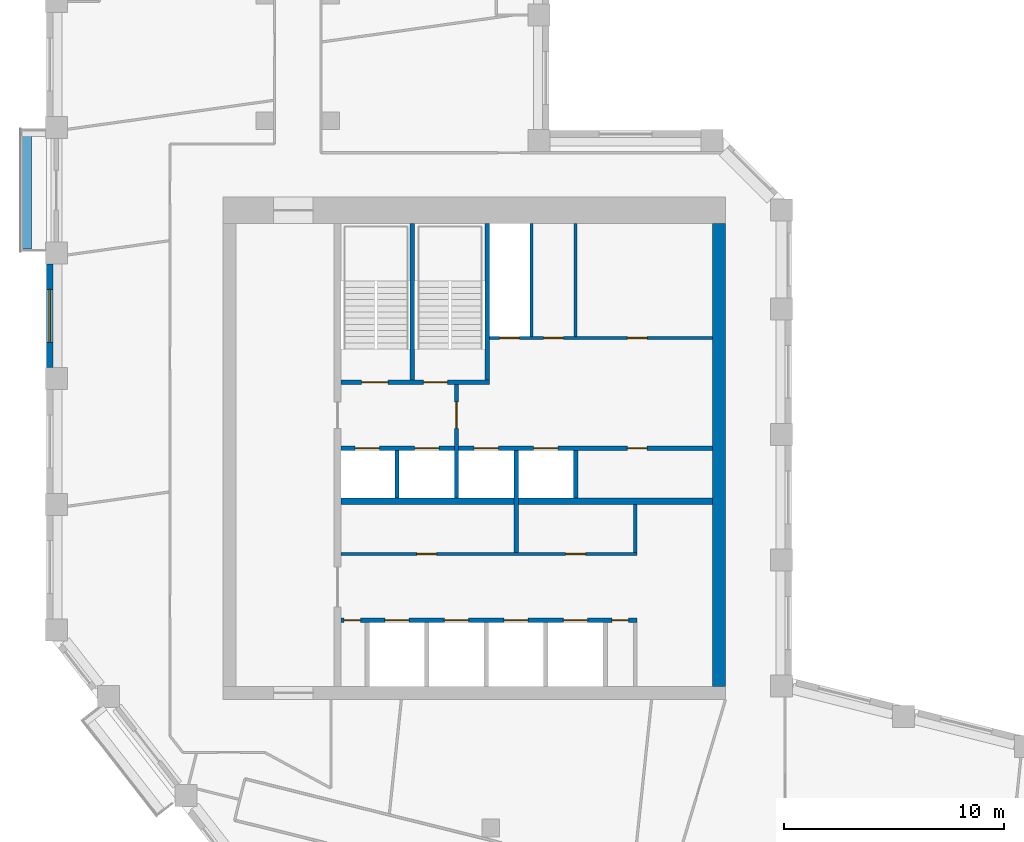
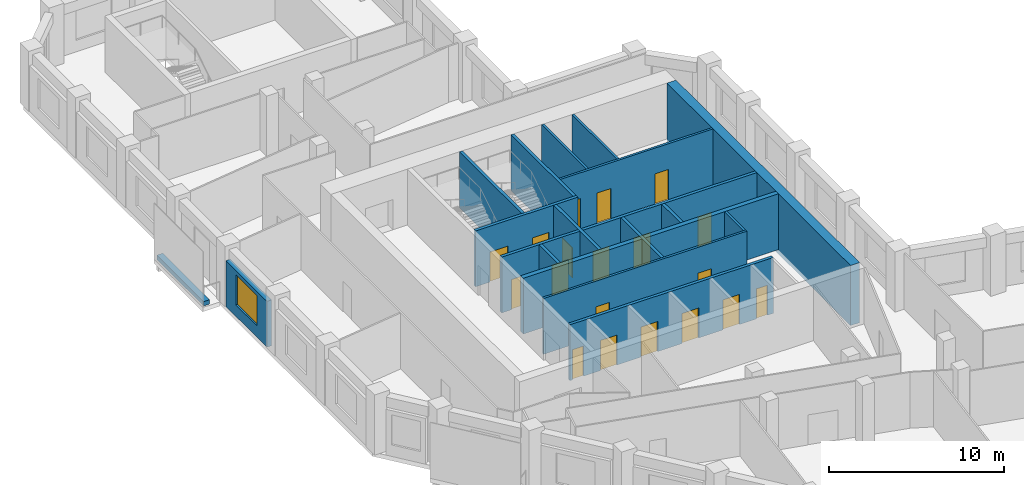
# One storey, part 5 of 9: 19 doors, 18 walls, 1 window, 20 openings.
"""IFC4 building model written with IfcOpenShell, lengths in metres."""

from ifc_helpers import new_model, si_unit, direction, frame, frame_2d, origin, place, context, subcontext, project, spatial, rectangle, extrude, material, layer, layer_set, type_object, element, fill, save


model = new_model("IFC4")

# Units and contexts
model_context = context("Model", 3, precision=1e-05, world=origin(), true_north=direction((0.0, 1.0)))
body_context = subcontext(model_context, "Body", "Model", "MODEL_VIEW")
ifc_project = project(units=[si_unit("LENGTHUNIT", "METRE"), si_unit("AREAUNIT", "SQUARE_METRE"), si_unit("VOLUMEUNIT", "CUBIC_METRE"), si_unit("PLANEANGLEUNIT", "RADIAN"), si_unit("MASSUNIT", "GRAM", prefix="KILO")], contexts=[model_context])

# Site, building, storey
site_placement = place(None, origin())
site = spatial("IfcSite", under=ifc_project, at=site_placement, CompositionType="ELEMENT")
building_placement = place(site_placement, origin())
building = spatial("IfcBuilding", under=site, at=building_placement, Name="Meshkara Civic Tower", CompositionType="ELEMENT")
storey_placement = place(building_placement, frame((0.0, 0.0, 315.0)))
storey = spatial("IfcBuildingStorey", under=building, at=storey_placement, Name="L72", CompositionType="ELEMENT", Elevation=315.0)

# Wall, openings, doors
ifc_material_1 = material(Name="Blockwork", Category="masonry")
ifc_layer_1 = layer(ifc_material_1, 0.14990234375)
ifc_layer_set_1 = layer_set([ifc_layer_1], Name="Core partition 150")
wall_type_1 = type_object("IfcWallType", Name="Core partition 150", PredefinedType="PARTITIONING", material=ifc_layer_set_1)
wall_1_placement = place(storey_placement, frame((13.35009765625, 20.699951171875, 0.0), z_axis=(0.0, 0.0, 1.0), x_axis=(1.0, 0.0, 0.0)))
wall_1 = element("IfcWall", 1, at=wall_1_placement, inside=storey, type_object=wall_type_1, Name="L72-C006", PredefinedType="PARTITIONING", context=body_context, shape_type="SweptSolid", body=[
    extrude(rectangle(XDim=13.4248046875, YDim=0.14990234375, at=frame_2d((6.71240234375, 0.0))), origin(), (0.0, 0.0, 1.0), 3.89990234375),
])
opening_1_placement = place(wall_1_placement, frame((3.449951171875, 0.0, 0.0)))
opening_1 = element("IfcOpeningElement", 2, at=opening_1_placement, cuts=wall_1, Name="Opening L72-K011", PredefinedType="OPENING", context=body_context, shape_type="SweptSolid", body=[
    extrude(rectangle(XDim=0.89990234375, YDim=2.10009765625, at=frame_2d((0.449951171875, 1.050048828125))), frame((0.0, 0.0849609375, 0.0), z_axis=(0.0, -1.0, 0.0), x_axis=(1.0, 0.0, 0.0)), (0.0, 0.0, 1.0), 0.169921875),
])
opening_2_placement = place(wall_1_placement, frame((10.199951171875, 0.0, 0.0)))
opening_2 = element("IfcOpeningElement", 3, at=opening_2_placement, cuts=wall_1, Name="Opening L72-K012", PredefinedType="OPENING", context=body_context, shape_type="SweptSolid", body=[
    extrude(rectangle(XDim=0.89990234375, YDim=2.10009765625, at=frame_2d((0.449951171875, 1.050048828125))), frame((0.0, 0.0849609375, 0.0), z_axis=(0.0, -1.0, 0.0), x_axis=(1.0, 0.0, 0.0)), (0.0, 0.0, 1.0), 0.169921875),
])
ifc_material_2 = material(Name="Timber door leaf in steel frame", Category="steel")
door_type_1 = type_object("IfcDoorType", Name="Core room door 900", OperationType="SINGLE_SWING_LEFT", PredefinedType="DOOR", material=ifc_material_2)
door_1_placement = place(opening_1_placement, origin())
door_1 = element("IfcDoor", 4, at=door_1_placement, inside=storey, type_object=door_type_1, Name="L72-K011", OperationType="SINGLE_SWING_RIGHT", OverallHeight=2.10009765625, OverallWidth=0.89990234375, PredefinedType="DOOR", context=body_context, shape_type="SweptSolid", body=[
    extrude(rectangle(XDim=0.89990234375, YDim=2.10009765625, at=frame_2d((0.449951171875, 1.050048828125))), frame((0.0, 0.02490234375, 0.0), z_axis=(0.0, -1.0, 0.0), x_axis=(1.0, 0.0, 0.0)), (0.0, 0.0, 1.0), 0.050048828125),
])
fill(opening_1, door_1)
door_2_placement = place(opening_2_placement, origin())
door_2 = element("IfcDoor", 5, at=door_2_placement, inside=storey, type_object=door_type_1, Name="L72-K012", OperationType="SINGLE_SWING_RIGHT", OverallHeight=2.10009765625, OverallWidth=0.89990234375, PredefinedType="DOOR", context=body_context, shape_type="SweptSolid", body=[
    extrude(rectangle(XDim=0.89990234375, YDim=2.10009765625, at=frame_2d((0.449951171875, 1.050048828125))), frame((0.0, 0.02490234375, 0.0), z_axis=(0.0, -1.0, 0.0), x_axis=(1.0, 0.0, 0.0)), (0.0, 0.0, 1.0), 0.050048828125),
])
fill(opening_2, door_2)

wall_2_placement = place(storey_placement, frame((20.10009765625, 30.5, 0.0), z_axis=(0.0, 0.0, 1.0), x_axis=(1.0, 0.0, 0.0)))
wall_2 = element("IfcWall", 6, at=wall_2_placement, inside=storey, type_object=wall_type_1, Name="L72-C010", PredefinedType="PARTITIONING", context=body_context, shape_type="SweptSolid", body=[
    extrude(rectangle(XDim=10.099853515625, YDim=0.14990234375, at=frame_2d((5.0498046875, 0.0))), origin(), (0.0, 0.0, 1.0), 3.89990234375),
])
opening_3_placement = place(wall_2_placement, frame((0.449951171875, 0.0, 0.0)))
opening_3 = element("IfcOpeningElement", 7, at=opening_3_placement, cuts=wall_2, Name="Opening L72-K014", PredefinedType="OPENING", context=body_context, shape_type="SweptSolid", body=[
    extrude(rectangle(XDim=0.89990234375, YDim=2.10009765625, at=frame_2d((0.449951171875, 1.050048828125))), frame((0.0, 0.0849609375, 0.0), z_axis=(0.0, -1.0, 0.0), x_axis=(1.0, 0.0, 0.0)), (0.0, 0.0, 1.0), 0.169921875),
])
opening_4_placement = place(wall_2_placement, frame((2.449951171875, 0.0, 0.0)))
opening_4 = element("IfcOpeningElement", 8, at=opening_4_placement, cuts=wall_2, Name="Opening L72-K015", PredefinedType="OPENING", context=body_context, shape_type="SweptSolid", body=[
    extrude(rectangle(XDim=0.89990234375, YDim=2.10009765625, at=frame_2d((0.449951171875, 1.050048828125))), frame((0.0, 0.0849609375, 0.0), z_axis=(0.0, -1.0, 0.0), x_axis=(1.0, 0.0, 0.0)), (0.0, 0.0, 1.0), 0.169921875),
])
opening_5_placement = place(wall_2_placement, frame((6.25, 0.0, 0.0)))
opening_5 = element("IfcOpeningElement", 9, at=opening_5_placement, cuts=wall_2, Name="Opening L72-K016", PredefinedType="OPENING", context=body_context, shape_type="SweptSolid", body=[
    extrude(rectangle(XDim=0.89990234375, YDim=2.10009765625, at=frame_2d((0.449951171875, 1.050048828125))), frame((0.0, 0.0849609375, 0.0), z_axis=(0.0, -1.0, 0.0), x_axis=(1.0, 0.0, 0.0)), (0.0, 0.0, 1.0), 0.169921875),
])
door_3_placement = place(opening_5_placement, origin())
door_3 = element("IfcDoor", 10, at=door_3_placement, inside=storey, type_object=door_type_1, Name="L72-K016", OperationType="SINGLE_SWING_RIGHT", OverallHeight=2.10009765625, OverallWidth=0.89990234375, PredefinedType="DOOR", context=body_context, shape_type="SweptSolid", body=[
    extrude(rectangle(XDim=0.89990234375, YDim=2.10009765625, at=frame_2d((0.449951171875, 1.050048828125))), frame((0.0, 0.02490234375, 0.0), z_axis=(0.0, -1.0, 0.0), x_axis=(1.0, 0.0, 0.0)), (0.0, 0.0, 1.0), 0.050048828125),
])
fill(opening_5, door_3)
ifc_material_3 = material(Name="Fire-rated door leaf in steel frame", Category="steel")
door_type_2 = type_object("IfcDoorType", Name="Riser door 900", OperationType="SINGLE_SWING_LEFT", PredefinedType="DOOR", material=ifc_material_3)
door_4_placement = place(opening_3_placement, origin())
door_4 = element("IfcDoor", 11, at=door_4_placement, inside=storey, type_object=door_type_2, Name="L72-K014", OperationType="SINGLE_SWING_RIGHT", OverallHeight=2.10009765625, OverallWidth=0.89990234375, PredefinedType="DOOR", context=body_context, shape_type="SweptSolid", body=[
    extrude(rectangle(XDim=0.89990234375, YDim=2.10009765625, at=frame_2d((0.449951171875, 1.050048828125))), frame((0.0, 0.02490234375, 0.0), z_axis=(0.0, -1.0, 0.0), x_axis=(1.0, 0.0, 0.0)), (0.0, 0.0, 1.0), 0.050048828125),
])
fill(opening_3, door_4)
ifc_material_4 = material(Name="Timber door leaf in steel frame", Category="steel")
door_type_3 = type_object("IfcDoorType", Name="WC door 900", OperationType="SINGLE_SWING_LEFT", PredefinedType="DOOR", material=ifc_material_4)
door_5_placement = place(opening_4_placement, origin())
door_5 = element("IfcDoor", 12, at=door_5_placement, inside=storey, type_object=door_type_3, Name="L72-K015", OperationType="SINGLE_SWING_LEFT", OverallHeight=2.10009765625, OverallWidth=0.89990234375, PredefinedType="DOOR", context=body_context, shape_type="SweptSolid", body=[
    extrude(rectangle(XDim=0.89990234375, YDim=2.10009765625, at=frame_2d((0.449951171875, 1.050048828125))), frame((0.0, 0.02490234375, 0.0), z_axis=(0.0, -1.0, 0.0), x_axis=(1.0, 0.0, 0.0)), (0.0, 0.0, 1.0), 0.050048828125),
])
fill(opening_4, door_5)

# Walls
for number, where, z_axis, x_axis, name in (
    (13, (22.0, 30.574951171875, 0.0), (0.0, 0.0, 1.0), (0.0, 1.0, 0.0), "L72-C020"),
    (14, (24.0, 30.574951171875, 0.0), (0.0, 0.0, 1.0), (0.0, 1.0, 0.0), "L72-C023"),
):
    element("IfcWall", number, at=place(storey_placement, frame(where, z_axis=z_axis, x_axis=x_axis)), inside=storey, type_object=wall_type_1, Name=name, PredefinedType="PARTITIONING", context=body_context, shape_type="SweptSolid", body=[
        extrude(rectangle(XDim=5.125, YDim=0.14990234375, at=frame_2d((2.5625, 0.0))), origin(), (0.0, 0.0, 1.0), 3.89990234375),
    ])
wall_3_placement = place(storey_placement, frame((26.699951171875, 20.77490234375, 0.0), z_axis=(0.0, 0.0, 1.0), x_axis=(0.0, 1.0, 0.0)))
element("IfcWall", 15, at=wall_3_placement, inside=storey, type_object=wall_type_1, Name="L72-C026", PredefinedType="PARTITIONING", context=body_context, shape_type="SweptSolid", body=[
    extrude(rectangle(XDim=2.175048828125, YDim=0.14990234375, at=frame_2d((1.08740234375, 0.0))), origin(), (0.0, 0.0, 1.0), 3.89990234375),
])
ifc_material_5 = material(Name="Concrete C60", Category="concrete")
ifc_layer_2 = layer(ifc_material_5, 0.60009765625)
ifc_layer_set_2 = layer_set([ifc_layer_2], Name="Core ring wall 600 C60")
wall_type_2 = type_object("IfcWallType", Name="Core ring wall 600 C60", PredefinedType="SHEAR", material=ifc_layer_set_2)
wall_4_placement = place(storey_placement, frame((30.5, 14.699951171875, -0.300048828125), z_axis=(0.0, 0.0, 1.0), x_axis=(0.0, 1.0, 0.0)))
element("IfcWall", 16, at=wall_4_placement, inside=storey, type_object=wall_type_2, Name="L72-C004", PredefinedType="SHEAR", context=body_context, shape_type="SweptSolid", body=[
    extrude(rectangle(XDim=21.0, YDim=0.60009765625, at=frame_2d((10.5, 0.0))), origin(), (0.0, 0.0, 1.0), 4.199951171875),
])
ifc_material_6 = material(Name="Concrete C60", Category="concrete")
ifc_layer_3 = layer(ifc_material_6, 0.300048828125)
ifc_layer_set_3 = layer_set([ifc_layer_3], Name="Core shear wall 300 C60")
wall_type_3 = type_object("IfcWallType", Name="Core shear wall 300 C60", PredefinedType="SHEAR", material=ifc_layer_set_3)
wall_5_placement = place(storey_placement, frame((13.35009765625, 23.10009765625, 0.0), z_axis=(0.0, 0.0, 1.0), x_axis=(1.0, 0.0, 0.0)))
element("IfcWall", 17, at=wall_5_placement, inside=storey, type_object=wall_type_3, Name="L72-C007", PredefinedType="SHEAR", context=body_context, shape_type="SweptSolid", body=[
    extrude(rectangle(XDim=16.849853515625, YDim=0.300048828125, at=frame_2d((8.4248046875, 0.0))), origin(), (0.0, 0.0, 1.0), 3.89990234375),
])

# Wall, opening, window
ifc_material_7 = material(Name="Insulated infill panel with bronze anodised aluminium cladding", Category="aluminium")
ifc_layer_4 = layer(ifc_material_7, 0.300048828125)
ifc_layer_set_4 = layer_set([ifc_layer_4], Name="EXTERNAL INFILL WALL 300")
wall_type_4 = type_object("IfcWallType", Name="EXTERNAL INFILL WALL 300", PredefinedType="SOLIDWALL", material=ifc_layer_set_4)
wall_6_placement = place(storey_placement, frame((0.14990234375, 33.85498046875, 0.0), z_axis=(0.0, 0.0, 1.0), x_axis=(0.0, -1.0, 0.0)))
wall_6 = element("IfcWall", 18, at=wall_6_placement, inside=storey, type_object=wall_type_4, Name="External wall", PredefinedType="SOLIDWALL", context=body_context, shape_type="SweptSolid", body=[
    extrude(rectangle(XDim=4.699951171875, YDim=0.300048828125, at=frame_2d((2.35009765625, 0.0))), origin(), (0.0, 0.0, 1.0), 3.199951171875),
])
opening_6_placement = place(wall_6_placement, frame((1.14990234375, 0.0, 0.800048828125)))
opening_6 = element("IfcOpeningElement", 19, at=opening_6_placement, cuts=wall_6, Name="Opening W7", PredefinedType="OPENING", context=body_context, shape_type="SweptSolid", body=[
    extrude(rectangle(XDim=2.39990234375, YDim=2.10009765625, at=frame_2d((1.199951171875, 1.050048828125))), frame((0.0, 0.159912109375, 0.0), z_axis=(0.0, -1.0, 0.0), x_axis=(1.0, 0.0, 0.0)), (0.0, 0.0, 1.0), 0.320068359375),
])
ifc_material_8 = material(Name="Tinted double glazing", Category="glass")
window_type = type_object("IfcWindowType", Name="WINDOW 2400x2100", PartitioningType="DOUBLE_PANEL_VERTICAL", PredefinedType="WINDOW", material=ifc_material_8)
window_placement = place(opening_6_placement, origin())
window = element("IfcWindow", 20, at=window_placement, inside=storey, type_object=window_type, Name="Window", OverallHeight=2.10009765625, OverallWidth=2.39990234375, PartitioningType="DOUBLE_PANEL_VERTICAL", PredefinedType="WINDOW", context=body_context, shape_type="SweptSolid", body=[
    extrude(rectangle(XDim=2.39990234375, YDim=2.10009765625, at=frame_2d((1.199951171875, 1.050048828125))), frame((0.0, 0.030029296875, 0.0), z_axis=(0.0, -1.0, 0.0), x_axis=(1.0, 0.0, 0.0)), (0.0, 0.0, 1.0), 0.06005859375),
])
fill(opening_6, window)

# Wall
ifc_material_9 = material(Name="Concrete C40", Category="concrete")
ifc_layer_5 = layer(ifc_material_9, 0.39990234375)
ifc_layer_set_5 = layer_set([ifc_layer_5], Name="PLANTER TRAY")
wall_type_5 = type_object("IfcWallType", Name="PLANTER TRAY", PredefinedType="SOLIDWALL", material=ifc_layer_set_5)
wall_7_placement = place(storey_placement, frame((-0.8798828125, 39.885009765625, 0.0), z_axis=(0.0, 0.0, 1.0), x_axis=(0.0, -1.0, 0.0)))
element("IfcWall", 21, at=wall_7_placement, inside=storey, type_object=wall_type_5, Name="Planter", PredefinedType="SOLIDWALL", context=body_context, shape_type="SweptSolid", body=[
    extrude(rectangle(XDim=5.360107421875, YDim=0.39990234375, at=frame_2d((2.68017578125, 0.0))), origin(), (0.0, 0.0, 1.0), 0.300048828125),
])

# Wall, openings, doors
ifc_material_10 = material(Name="Concrete C40/50", Category="concrete")
ifc_layer_6 = layer(ifc_material_10, 0.199951171875)
ifc_layer_set_6 = layer_set([ifc_layer_6], Name="Shaft wall 200 C40/50")
wall_type_6 = type_object("IfcWallType", Name="Shaft wall 200 C40/50", PredefinedType="SOLIDWALL", material=ifc_layer_set_6)
wall_8_placement = place(storey_placement, frame((13.35009765625, 17.699951171875, 0.0), z_axis=(0.0, 0.0, 1.0), x_axis=(1.0, 0.0, 0.0)))
wall_8 = element("IfcWall", 22, at=wall_8_placement, inside=storey, type_object=wall_type_6, Name="L72-C005", PredefinedType="SOLIDWALL", context=body_context, shape_type="SweptSolid", body=[
    extrude(rectangle(XDim=13.4248046875, YDim=0.199951171875, at=frame_2d((6.71240234375, 0.0))), origin(), (0.0, 0.0, 1.0), 3.89990234375),
])
opening_7_placement = place(wall_8_placement, frame((2.0, 0.0, 0.0)))
opening_7 = element("IfcOpeningElement", 23, at=opening_7_placement, cuts=wall_8, Name="Opening L72-K001", PredefinedType="OPENING", context=body_context, shape_type="SweptSolid", body=[
    extrude(rectangle(XDim=1.10009765625, YDim=2.10009765625, at=frame_2d((0.550048828125, 1.050048828125))), frame((0.0, 0.10986328125, 0.0), z_axis=(0.0, -1.0, 0.0), x_axis=(1.0, 0.0, 0.0)), (0.0, 0.0, 1.0), 0.219970703125),
])
opening_8_placement = place(wall_8_placement, frame((4.699951171875, 0.0, 0.0)))
opening_8 = element("IfcOpeningElement", 24, at=opening_8_placement, cuts=wall_8, Name="Opening L72-K002", PredefinedType="OPENING", context=body_context, shape_type="SweptSolid", body=[
    extrude(rectangle(XDim=1.10009765625, YDim=2.10009765625, at=frame_2d((0.550048828125, 1.050048828125))), frame((0.0, 0.10986328125, 0.0), z_axis=(0.0, -1.0, 0.0), x_axis=(1.0, 0.0, 0.0)), (0.0, 0.0, 1.0), 0.219970703125),
])
opening_9_placement = place(wall_8_placement, frame((7.39990234375, 0.0, 0.0)))
opening_9 = element("IfcOpeningElement", 25, at=opening_9_placement, cuts=wall_8, Name="Opening L72-K003", PredefinedType="OPENING", context=body_context, shape_type="SweptSolid", body=[
    extrude(rectangle(XDim=1.10009765625, YDim=2.10009765625, at=frame_2d((0.550048828125, 1.050048828125))), frame((0.0, 0.10986328125, 0.0), z_axis=(0.0, -1.0, 0.0), x_axis=(1.0, 0.0, 0.0)), (0.0, 0.0, 1.0), 0.219970703125),
])
opening_10_placement = place(wall_8_placement, frame((10.10009765625, 0.0, 0.0)))
opening_10 = element("IfcOpeningElement", 26, at=opening_10_placement, cuts=wall_8, Name="Opening L72-K004", PredefinedType="OPENING", context=body_context, shape_type="SweptSolid", body=[
    extrude(rectangle(XDim=1.10009765625, YDim=2.10009765625, at=frame_2d((0.550048828125, 1.050048828125))), frame((0.0, 0.10986328125, 0.0), z_axis=(0.0, -1.0, 0.0), x_axis=(1.0, 0.0, 0.0)), (0.0, 0.0, 1.0), 0.219970703125),
])
opening_11_placement = place(wall_8_placement, frame((0.14990234375, 0.0, 0.0)))
opening_11 = element("IfcOpeningElement", 27, at=opening_11_placement, cuts=wall_8, Name="Opening L72-K009", PredefinedType="OPENING", context=body_context, shape_type="SweptSolid", body=[
    extrude(rectangle(XDim=0.75, YDim=2.10009765625, at=frame_2d((0.375, 1.050048828125))), frame((0.0, 0.10986328125, 0.0), z_axis=(0.0, -1.0, 0.0), x_axis=(1.0, 0.0, 0.0)), (0.0, 0.0, 1.0), 0.219970703125),
])
opening_12_placement = place(wall_8_placement, frame((12.300048828125, 0.0, 0.0)))
opening_12 = element("IfcOpeningElement", 28, at=opening_12_placement, cuts=wall_8, Name="Opening L72-K010", PredefinedType="OPENING", context=body_context, shape_type="SweptSolid", body=[
    extrude(rectangle(XDim=0.75, YDim=2.10009765625, at=frame_2d((0.375, 1.050048828125))), frame((0.0, 0.10986328125, 0.0), z_axis=(0.0, -1.0, 0.0), x_axis=(1.0, 0.0, 0.0)), (0.0, 0.0, 1.0), 0.219970703125),
])
ifc_material_11 = material(Name="Timber door leaf in steel frame", Category="steel")
door_type_4 = type_object("IfcDoorType", Name="Core room door 750", OperationType="SINGLE_SWING_LEFT", PredefinedType="DOOR", material=ifc_material_11)
door_6_placement = place(opening_11_placement, origin())
door_6 = element("IfcDoor", 29, at=door_6_placement, inside=storey, type_object=door_type_4, Name="L72-K009", OperationType="SINGLE_SWING_RIGHT", OverallHeight=2.10009765625, OverallWidth=0.75, PredefinedType="DOOR", context=body_context, shape_type="SweptSolid", body=[
    extrude(rectangle(XDim=0.75, YDim=2.10009765625, at=frame_2d((0.375, 1.050048828125))), frame((0.0, 0.02490234375, 0.0), z_axis=(0.0, -1.0, 0.0), x_axis=(1.0, 0.0, 0.0)), (0.0, 0.0, 1.0), 0.050048828125),
])
fill(opening_11, door_6)
door_7_placement = place(opening_12_placement, origin())
door_7 = element("IfcDoor", 30, at=door_7_placement, inside=storey, type_object=door_type_4, Name="L72-K010", OperationType="SINGLE_SWING_RIGHT", OverallHeight=2.10009765625, OverallWidth=0.75, PredefinedType="DOOR", context=body_context, shape_type="SweptSolid", body=[
    extrude(rectangle(XDim=0.75, YDim=2.10009765625, at=frame_2d((0.375, 1.050048828125))), frame((0.0, 0.02490234375, 0.0), z_axis=(0.0, -1.0, 0.0), x_axis=(1.0, 0.0, 0.0)), (0.0, 0.0, 1.0), 0.050048828125),
])
fill(opening_12, door_7)
ifc_material_12 = material(Name="Stainless steel landing door", Category="steel")
door_type_5 = type_object("IfcDoorType", Name="Lift landing door 1100", OperationType="SLIDING_TO_LEFT", PredefinedType="DOOR", material=ifc_material_12)
door_8_placement = place(opening_7_placement, origin())
door_8 = element("IfcDoor", 31, at=door_8_placement, inside=storey, type_object=door_type_5, Name="L72-K001", OperationType="SLIDING_TO_LEFT", OverallHeight=2.10009765625, OverallWidth=1.10009765625, PredefinedType="DOOR", context=body_context, shape_type="SweptSolid", body=[
    extrude(rectangle(XDim=1.10009765625, YDim=2.10009765625, at=frame_2d((0.550048828125, 1.050048828125))), frame((0.0, 0.02490234375, 0.0), z_axis=(0.0, -1.0, 0.0), x_axis=(1.0, 0.0, 0.0)), (0.0, 0.0, 1.0), 0.050048828125),
])
fill(opening_7, door_8)
door_9_placement = place(opening_8_placement, origin())
door_9 = element("IfcDoor", 32, at=door_9_placement, inside=storey, type_object=door_type_5, Name="L72-K002", OperationType="SLIDING_TO_LEFT", OverallHeight=2.10009765625, OverallWidth=1.10009765625, PredefinedType="DOOR", context=body_context, shape_type="SweptSolid", body=[
    extrude(rectangle(XDim=1.10009765625, YDim=2.10009765625, at=frame_2d((0.550048828125, 1.050048828125))), frame((0.0, 0.02490234375, 0.0), z_axis=(0.0, -1.0, 0.0), x_axis=(1.0, 0.0, 0.0)), (0.0, 0.0, 1.0), 0.050048828125),
])
fill(opening_8, door_9)
door_10_placement = place(opening_9_placement, origin())
door_10 = element("IfcDoor", 33, at=door_10_placement, inside=storey, type_object=door_type_5, Name="L72-K003", OperationType="SLIDING_TO_LEFT", OverallHeight=2.10009765625, OverallWidth=1.10009765625, PredefinedType="DOOR", context=body_context, shape_type="SweptSolid", body=[
    extrude(rectangle(XDim=1.10009765625, YDim=2.10009765625, at=frame_2d((0.550048828125, 1.050048828125))), frame((0.0, 0.02490234375, 0.0), z_axis=(0.0, -1.0, 0.0), x_axis=(1.0, 0.0, 0.0)), (0.0, 0.0, 1.0), 0.050048828125),
])
fill(opening_9, door_10)
door_11_placement = place(opening_10_placement, origin())
door_11 = element("IfcDoor", 34, at=door_11_placement, inside=storey, type_object=door_type_5, Name="L72-K004", OperationType="SLIDING_TO_LEFT", OverallHeight=2.10009765625, OverallWidth=1.10009765625, PredefinedType="DOOR", context=body_context, shape_type="SweptSolid", body=[
    extrude(rectangle(XDim=1.10009765625, YDim=2.10009765625, at=frame_2d((0.550048828125, 1.050048828125))), frame((0.0, 0.02490234375, 0.0), z_axis=(0.0, -1.0, 0.0), x_axis=(1.0, 0.0, 0.0)), (0.0, 0.0, 1.0), 0.050048828125),
])
fill(opening_10, door_11)

wall_9_placement = place(storey_placement, frame((13.35009765625, 25.5, 0.0), z_axis=(0.0, 0.0, 1.0), x_axis=(1.0, 0.0, 0.0)))
wall_9 = element("IfcWall", 35, at=wall_9_placement, inside=storey, type_object=wall_type_6, Name="L72-C008", PredefinedType="SOLIDWALL", context=body_context, shape_type="SweptSolid", body=[
    extrude(rectangle(XDim=16.849853515625, YDim=0.199951171875, at=frame_2d((8.4248046875, 0.0))), origin(), (0.0, 0.0, 1.0), 3.89990234375),
])
opening_13_placement = place(wall_9_placement, frame((0.64990234375, 0.0, 0.0)))
opening_13 = element("IfcOpeningElement", 36, at=opening_13_placement, cuts=wall_9, Name="Opening L72-K005", PredefinedType="OPENING", context=body_context, shape_type="SweptSolid", body=[
    extrude(rectangle(XDim=1.10009765625, YDim=2.10009765625, at=frame_2d((0.550048828125, 1.050048828125))), frame((0.0, 0.10986328125, 0.0), z_axis=(0.0, -1.0, 0.0), x_axis=(1.0, 0.0, 0.0)), (0.0, 0.0, 1.0), 0.219970703125),
])
opening_14_placement = place(wall_9_placement, frame((3.35009765625, 0.0, 0.0)))
opening_14 = element("IfcOpeningElement", 37, at=opening_14_placement, cuts=wall_9, Name="Opening L72-K006", PredefinedType="OPENING", context=body_context, shape_type="SweptSolid", body=[
    extrude(rectangle(XDim=1.10009765625, YDim=2.10009765625, at=frame_2d((0.550048828125, 1.050048828125))), frame((0.0, 0.10986328125, 0.0), z_axis=(0.0, -1.0, 0.0), x_axis=(1.0, 0.0, 0.0)), (0.0, 0.0, 1.0), 0.219970703125),
])
opening_15_placement = place(wall_9_placement, frame((6.050048828125, 0.0, 0.0)))
opening_15 = element("IfcOpeningElement", 38, at=opening_15_placement, cuts=wall_9, Name="Opening L72-K007", PredefinedType="OPENING", context=body_context, shape_type="SweptSolid", body=[
    extrude(rectangle(XDim=1.10009765625, YDim=2.10009765625, at=frame_2d((0.550048828125, 1.050048828125))), frame((0.0, 0.10986328125, 0.0), z_axis=(0.0, -1.0, 0.0), x_axis=(1.0, 0.0, 0.0)), (0.0, 0.0, 1.0), 0.219970703125),
])
opening_16_placement = place(wall_9_placement, frame((8.75, 0.0, 0.0)))
opening_16 = element("IfcOpeningElement", 39, at=opening_16_placement, cuts=wall_9, Name="Opening L72-K008", PredefinedType="OPENING", context=body_context, shape_type="SweptSolid", body=[
    extrude(rectangle(XDim=1.10009765625, YDim=2.10009765625, at=frame_2d((0.550048828125, 1.050048828125))), frame((0.0, 0.10986328125, 0.0), z_axis=(0.0, -1.0, 0.0), x_axis=(1.0, 0.0, 0.0)), (0.0, 0.0, 1.0), 0.219970703125),
])
opening_17_placement = place(wall_9_placement, frame((13.0, 0.0, 0.0)))
opening_17 = element("IfcOpeningElement", 40, at=opening_17_placement, cuts=wall_9, Name="Opening L72-K013", PredefinedType="OPENING", context=body_context, shape_type="SweptSolid", body=[
    extrude(rectangle(XDim=0.89990234375, YDim=2.10009765625, at=frame_2d((0.449951171875, 1.050048828125))), frame((0.0, 0.10986328125, 0.0), z_axis=(0.0, -1.0, 0.0), x_axis=(1.0, 0.0, 0.0)), (0.0, 0.0, 1.0), 0.219970703125),
])
door_12_placement = place(opening_17_placement, origin())
door_12 = element("IfcDoor", 41, at=door_12_placement, inside=storey, type_object=door_type_1, Name="L72-K013", OperationType="SINGLE_SWING_LEFT", OverallHeight=2.10009765625, OverallWidth=0.89990234375, PredefinedType="DOOR", context=body_context, shape_type="SweptSolid", body=[
    extrude(rectangle(XDim=0.89990234375, YDim=2.10009765625, at=frame_2d((0.449951171875, 1.050048828125))), frame((0.0, 0.02490234375, 0.0), z_axis=(0.0, -1.0, 0.0), x_axis=(1.0, 0.0, 0.0)), (0.0, 0.0, 1.0), 0.050048828125),
])
fill(opening_17, door_12)
door_13_placement = place(opening_13_placement, origin())
door_13 = element("IfcDoor", 42, at=door_13_placement, inside=storey, type_object=door_type_5, Name="L72-K005", OperationType="SLIDING_TO_LEFT", OverallHeight=2.10009765625, OverallWidth=1.10009765625, PredefinedType="DOOR", context=body_context, shape_type="SweptSolid", body=[
    extrude(rectangle(XDim=1.10009765625, YDim=2.10009765625, at=frame_2d((0.550048828125, 1.050048828125))), frame((0.0, 0.02490234375, 0.0), z_axis=(0.0, -1.0, 0.0), x_axis=(1.0, 0.0, 0.0)), (0.0, 0.0, 1.0), 0.050048828125),
])
fill(opening_13, door_13)
door_14_placement = place(opening_14_placement, origin())
door_14 = element("IfcDoor", 43, at=door_14_placement, inside=storey, type_object=door_type_5, Name="L72-K006", OperationType="SLIDING_TO_LEFT", OverallHeight=2.10009765625, OverallWidth=1.10009765625, PredefinedType="DOOR", context=body_context, shape_type="SweptSolid", body=[
    extrude(rectangle(XDim=1.10009765625, YDim=2.10009765625, at=frame_2d((0.550048828125, 1.050048828125))), frame((0.0, 0.02490234375, 0.0), z_axis=(0.0, -1.0, 0.0), x_axis=(1.0, 0.0, 0.0)), (0.0, 0.0, 1.0), 0.050048828125),
])
fill(opening_14, door_14)
door_15_placement = place(opening_15_placement, origin())
door_15 = element("IfcDoor", 44, at=door_15_placement, inside=storey, type_object=door_type_5, Name="L72-K007", OperationType="SLIDING_TO_LEFT", OverallHeight=2.10009765625, OverallWidth=1.10009765625, PredefinedType="DOOR", context=body_context, shape_type="SweptSolid", body=[
    extrude(rectangle(XDim=1.10009765625, YDim=2.10009765625, at=frame_2d((0.550048828125, 1.050048828125))), frame((0.0, 0.02490234375, 0.0), z_axis=(0.0, -1.0, 0.0), x_axis=(1.0, 0.0, 0.0)), (0.0, 0.0, 1.0), 0.050048828125),
])
fill(opening_15, door_15)
door_16_placement = place(opening_16_placement, origin())
door_16 = element("IfcDoor", 45, at=door_16_placement, inside=storey, type_object=door_type_5, Name="L72-K008", OperationType="SLIDING_TO_LEFT", OverallHeight=2.10009765625, OverallWidth=1.10009765625, PredefinedType="DOOR", context=body_context, shape_type="SweptSolid", body=[
    extrude(rectangle(XDim=1.10009765625, YDim=2.10009765625, at=frame_2d((0.550048828125, 1.050048828125))), frame((0.0, 0.02490234375, 0.0), z_axis=(0.0, -1.0, 0.0), x_axis=(1.0, 0.0, 0.0)), (0.0, 0.0, 1.0), 0.050048828125),
])
fill(opening_16, door_16)

# Wall
wall_10_placement = place(storey_placement, frame((15.89990234375, 23.25, 0.0), z_axis=(0.0, 0.0, 1.0), x_axis=(0.0, 1.0, 0.0)))
element("IfcWall", 46, at=wall_10_placement, inside=storey, type_object=wall_type_6, Name="L72-C013", PredefinedType="SOLIDWALL", context=body_context, shape_type="SweptSolid", body=[
    extrude(rectangle(XDim=2.14990234375, YDim=0.199951171875, at=frame_2d((1.074951171875, 0.0))), origin(), (0.0, 0.0, 1.0), 3.89990234375),
])

# Wall, opening, door
wall_11_placement = place(storey_placement, frame((18.60009765625, 23.25, 0.0), z_axis=(0.0, 0.0, 1.0), x_axis=(0.0, 1.0, 0.0)))
wall_11 = element("IfcWall", 47, at=wall_11_placement, inside=storey, type_object=wall_type_6, Name="L72-C016", PredefinedType="SOLIDWALL", context=body_context, shape_type="SweptSolid", body=[
    extrude(rectangle(XDim=5.14990234375, YDim=0.199951171875, at=frame_2d((2.574951171875, 0.0))), origin(), (0.0, 0.0, 1.0), 3.89990234375),
])
opening_18_placement = place(wall_11_placement, frame((3.14990234375, 0.0, 0.0)))
opening_18 = element("IfcOpeningElement", 48, at=opening_18_placement, cuts=wall_11, Name="Opening L72-K021", PredefinedType="OPENING", context=body_context, shape_type="SweptSolid", body=[
    extrude(rectangle(XDim=1.199951171875, YDim=2.10009765625, at=frame_2d((0.60009765625, 1.050048828125))), frame((0.0, 0.10986328125, 0.0), z_axis=(0.0, -1.0, 0.0), x_axis=(1.0, 0.0, 0.0)), (0.0, 0.0, 1.0), 0.219970703125),
])
ifc_material_13 = material(Name="Fire-rated door leaf in steel frame", Category="steel")
door_type_6 = type_object("IfcDoorType", Name="Fire-fighting lobby door 1200 EI 120", OperationType="SINGLE_SWING_LEFT", PredefinedType="DOOR", material=ifc_material_13)
door_17_placement = place(opening_18_placement, origin())
door_17 = element("IfcDoor", 49, at=door_17_placement, inside=storey, type_object=door_type_6, Name="L72-K021", OperationType="SINGLE_SWING_RIGHT", OverallHeight=2.10009765625, OverallWidth=1.199951171875, PredefinedType="DOOR", context=body_context, shape_type="SweptSolid", body=[
    extrude(rectangle(XDim=1.199951171875, YDim=2.10009765625, at=frame_2d((0.60009765625, 1.050048828125))), frame((0.0, 0.02490234375, 0.0), z_axis=(0.0, -1.0, 0.0), x_axis=(1.0, 0.0, 0.0)), (0.0, 0.0, 1.0), 0.050048828125),
])
fill(opening_18, door_17)

# Walls
wall_12_placement = place(storey_placement, frame((21.300048828125, 20.77490234375, 0.0), z_axis=(0.0, 0.0, 1.0), x_axis=(0.0, 1.0, 0.0)))
element("IfcWall", 50, at=wall_12_placement, inside=storey, type_object=wall_type_6, Name="L72-C019", PredefinedType="SOLIDWALL", context=body_context, shape_type="SweptSolid", body=[
    extrude(rectangle(XDim=4.625, YDim=0.199951171875, at=frame_2d((2.3125, 0.0))), origin(), (0.0, 0.0, 1.0), 3.89990234375),
])
wall_13_placement = place(storey_placement, frame((24.0, 23.25, 0.0), z_axis=(0.0, 0.0, 1.0), x_axis=(0.0, 1.0, 0.0)))
element("IfcWall", 51, at=wall_13_placement, inside=storey, type_object=wall_type_6, Name="L72-C022", PredefinedType="SOLIDWALL", context=body_context, shape_type="SweptSolid", body=[
    extrude(rectangle(XDim=2.14990234375, YDim=0.199951171875, at=frame_2d((1.074951171875, 0.0))), origin(), (0.0, 0.0, 1.0), 3.89990234375),
])

# Wall, openings, doors
ifc_material_14 = material(Name="Concrete C40/50", Category="concrete")
ifc_layer_7 = layer(ifc_material_14, 0.199951171875)
ifc_layer_set_7 = layer_set([ifc_layer_7], Name="Stair enclosure wall 200 C40/50")
wall_type_7 = type_object("IfcWallType", Name="Stair enclosure wall 200 C40/50", PredefinedType="SOLIDWALL", material=ifc_layer_set_7)
wall_14_placement = place(storey_placement, frame((13.35009765625, 28.5, 0.0), z_axis=(0.0, 0.0, 1.0), x_axis=(1.0, 0.0, 0.0)))
wall_14 = element("IfcWall", 52, at=wall_14_placement, inside=storey, type_object=wall_type_7, Name="L72-C009", PredefinedType="SOLIDWALL", context=body_context, shape_type="SweptSolid", body=[
    extrude(rectangle(XDim=6.75, YDim=0.199951171875, at=frame_2d((3.375, 0.0))), origin(), (0.0, 0.0, 1.0), 3.89990234375),
])
opening_19_placement = place(wall_14_placement, frame((0.949951171875, 0.0, 0.0)))
opening_19 = element("IfcOpeningElement", 53, at=opening_19_placement, cuts=wall_14, Name="Opening L72-K017", PredefinedType="OPENING", context=body_context, shape_type="SweptSolid", body=[
    extrude(rectangle(XDim=1.199951171875, YDim=2.10009765625, at=frame_2d((0.60009765625, 1.050048828125))), frame((0.0, 0.10986328125, 0.0), z_axis=(0.0, -1.0, 0.0), x_axis=(1.0, 0.0, 0.0)), (0.0, 0.0, 1.0), 0.219970703125),
])
opening_20_placement = place(wall_14_placement, frame((3.75, 0.0, 0.0)))
opening_20 = element("IfcOpeningElement", 54, at=opening_20_placement, cuts=wall_14, Name="Opening L72-K018", PredefinedType="OPENING", context=body_context, shape_type="SweptSolid", body=[
    extrude(rectangle(XDim=1.10009765625, YDim=2.10009765625, at=frame_2d((0.550048828125, 1.050048828125))), frame((0.0, 0.10986328125, 0.0), z_axis=(0.0, -1.0, 0.0), x_axis=(1.0, 0.0, 0.0)), (0.0, 0.0, 1.0), 0.219970703125),
])
ifc_material_15 = material(Name="Fire-rated door leaf in steel frame", Category="steel")
door_type_7 = type_object("IfcDoorType", Name="Stair door 1100 EI 120", OperationType="SINGLE_SWING_LEFT", PredefinedType="DOOR", material=ifc_material_15)
door_18_placement = place(opening_20_placement, origin())
door_18 = element("IfcDoor", 55, at=door_18_placement, inside=storey, type_object=door_type_7, Name="L72-K018", OperationType="SINGLE_SWING_LEFT", OverallHeight=2.10009765625, OverallWidth=1.10009765625, PredefinedType="DOOR", context=body_context, shape_type="SweptSolid", body=[
    extrude(rectangle(XDim=1.10009765625, YDim=2.10009765625, at=frame_2d((0.550048828125, 1.050048828125))), frame((0.0, 0.02490234375, 0.0), z_axis=(0.0, -1.0, 0.0), x_axis=(1.0, 0.0, 0.0)), (0.0, 0.0, 1.0), 0.050048828125),
])
fill(opening_20, door_18)
ifc_material_16 = material(Name="Fire-rated door leaf in steel frame", Category="steel")
door_type_8 = type_object("IfcDoorType", Name="Stair door 1200 EI 120", OperationType="SINGLE_SWING_LEFT", PredefinedType="DOOR", material=ifc_material_16)
door_19_placement = place(opening_19_placement, origin())
door_19 = element("IfcDoor", 56, at=door_19_placement, inside=storey, type_object=door_type_8, Name="L72-K017", OperationType="SINGLE_SWING_RIGHT", OverallHeight=2.10009765625, OverallWidth=1.199951171875, PredefinedType="DOOR", context=body_context, shape_type="SweptSolid", body=[
    extrude(rectangle(XDim=1.199951171875, YDim=2.10009765625, at=frame_2d((0.60009765625, 1.050048828125))), frame((0.0, 0.02490234375, 0.0), z_axis=(0.0, -1.0, 0.0), x_axis=(1.0, 0.0, 0.0)), (0.0, 0.0, 1.0), 0.050048828125),
])
fill(opening_19, door_19)

# Walls
for number, where, z_axis, x_axis, name in (
    (57, (16.60009765625, 28.60009765625, 0.0), (0.0, 0.0, 1.0), (0.0, 1.0, 0.0), "L72-C014"),
    (58, (20.0, 28.60009765625, 0.0), (0.0, 0.0, 1.0), (0.0, 1.0, 0.0), "L72-C018"),
):
    element("IfcWall", number, at=place(storey_placement, frame(where, z_axis=z_axis, x_axis=x_axis)), inside=storey, type_object=wall_type_7, Name=name, PredefinedType="SOLIDWALL", context=body_context, shape_type="SweptSolid", body=[
        extrude(rectangle(XDim=7.099853515625, YDim=0.199951171875, at=frame_2d((3.5498046875, 0.0))), origin(), (0.0, 0.0, 1.0), 3.89990234375),
    ])

save(model, "model.ifc")
